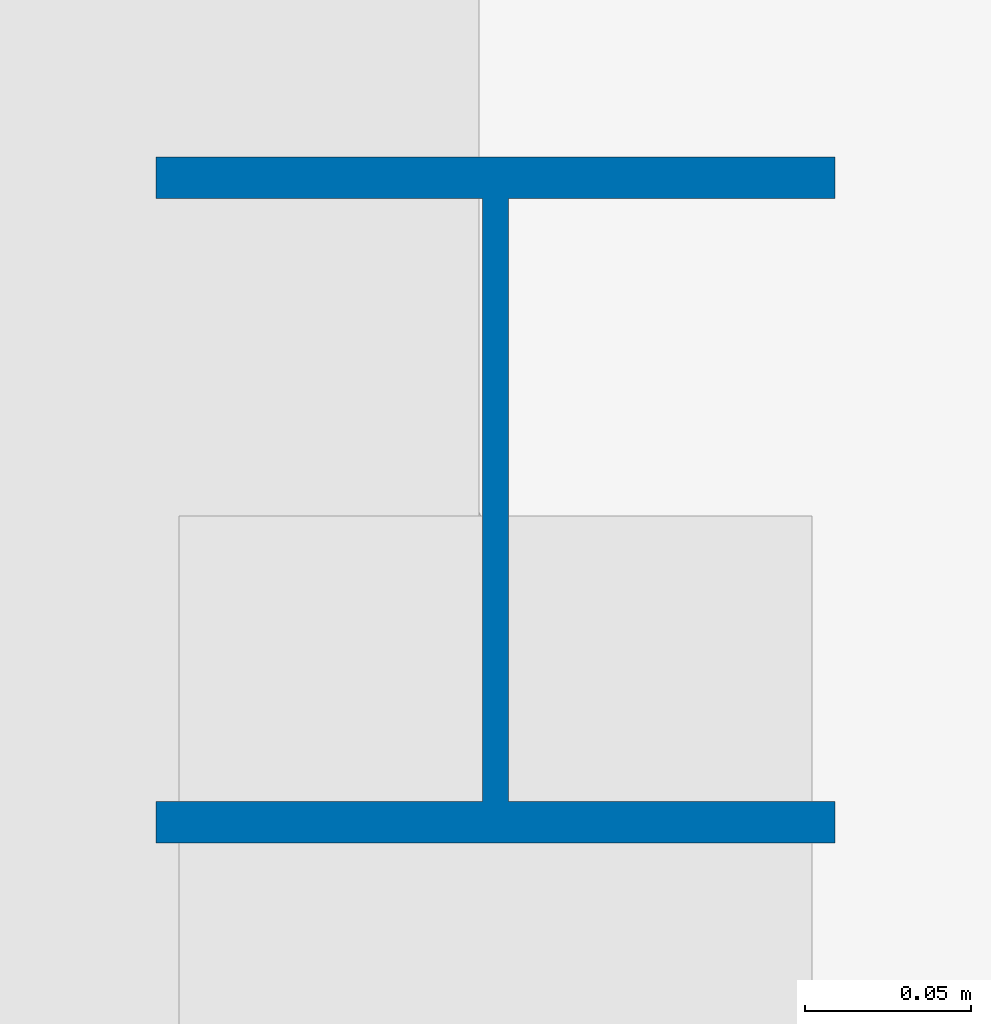
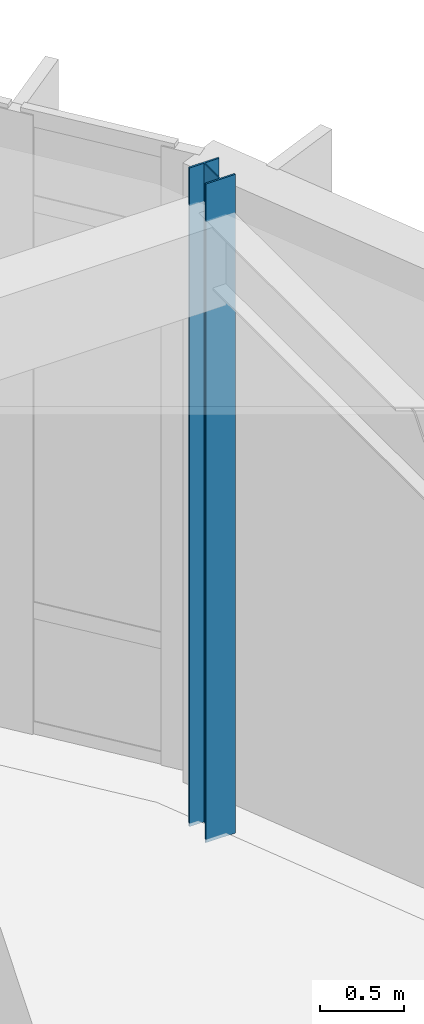
# One storey, part 20 of 120: 1 column.
"""IFC4 building model written with IfcOpenShell, lengths in metres."""

from ifc_helpers import new_model, si_unit, direction, frame, origin, origin_2d, place, context, subcontext, project, spatial, i_section, extrude, material, material_profile, profile_set, type_object, element, save


model = new_model("IFC4")

# Units and contexts
model_context = context("Model", 3, precision=1e-05, world=origin(), true_north=direction((0.0, 1.0)))
body_context = subcontext(model_context, "Body", "Model", "MODEL_VIEW")
ifc_project = project(units=[si_unit("LENGTHUNIT", "METRE"), si_unit("AREAUNIT", "SQUARE_METRE"), si_unit("VOLUMEUNIT", "CUBIC_METRE"), si_unit("PLANEANGLEUNIT", "RADIAN"), si_unit("MASSUNIT", "GRAM", prefix="KILO")], contexts=[model_context])

# Site, building, storey
site_placement = place(None, origin())
site = spatial("IfcSite", under=ifc_project, at=site_placement, CompositionType="ELEMENT")
building_placement = place(site_placement, origin())
building = spatial("IfcBuilding", under=site, at=building_placement, Name="Corveleigh Park Community Centre", CompositionType="ELEMENT")
storey_placement = place(building_placement, origin())
storey = spatial("IfcBuildingStorey", under=building, at=storey_placement, Name="L00", CompositionType="ELEMENT", Elevation=0.0)

# Column
ifc_material = material(Name="Steel S355", Category="steel")
ifc_material_profile = material_profile(ifc_material, i_section(OverallWidth=0.204345703125, OverallDepth=0.206298828125, WebThickness=0.0078125, FlangeThickness=0.012451171875, at=origin_2d()), Name="UKC 203x203x52", Category="steel")
ifc_profile_set = profile_set([ifc_material_profile], Name="Steel S355")
column_type = type_object("IfcColumnType", Name="COL-STL-UKC203x52", PredefinedType="COLUMN", material=ifc_profile_set)
column_placement = place(storey_placement, frame((168.39990234375, 104.199951171875, 0.0), z_axis=(0.0, 0.0, 1.0), x_axis=(1.0, 0.0, 0.0)))
element("IfcColumn", 1, at=column_placement, inside=storey, type_object=column_type, Name="Column V4-X7Y6 L00", PredefinedType="COLUMN", context=body_context, shape_type="SweptSolid", body=[
    extrude(i_section(OverallWidth=0.204345703125, OverallDepth=0.206298828125, WebThickness=0.0078125, FlangeThickness=0.012451171875, at=origin_2d()), origin(), (0.0, 0.0, 1.0), 4.800048828125),
])

save(model, "model.ifc")
